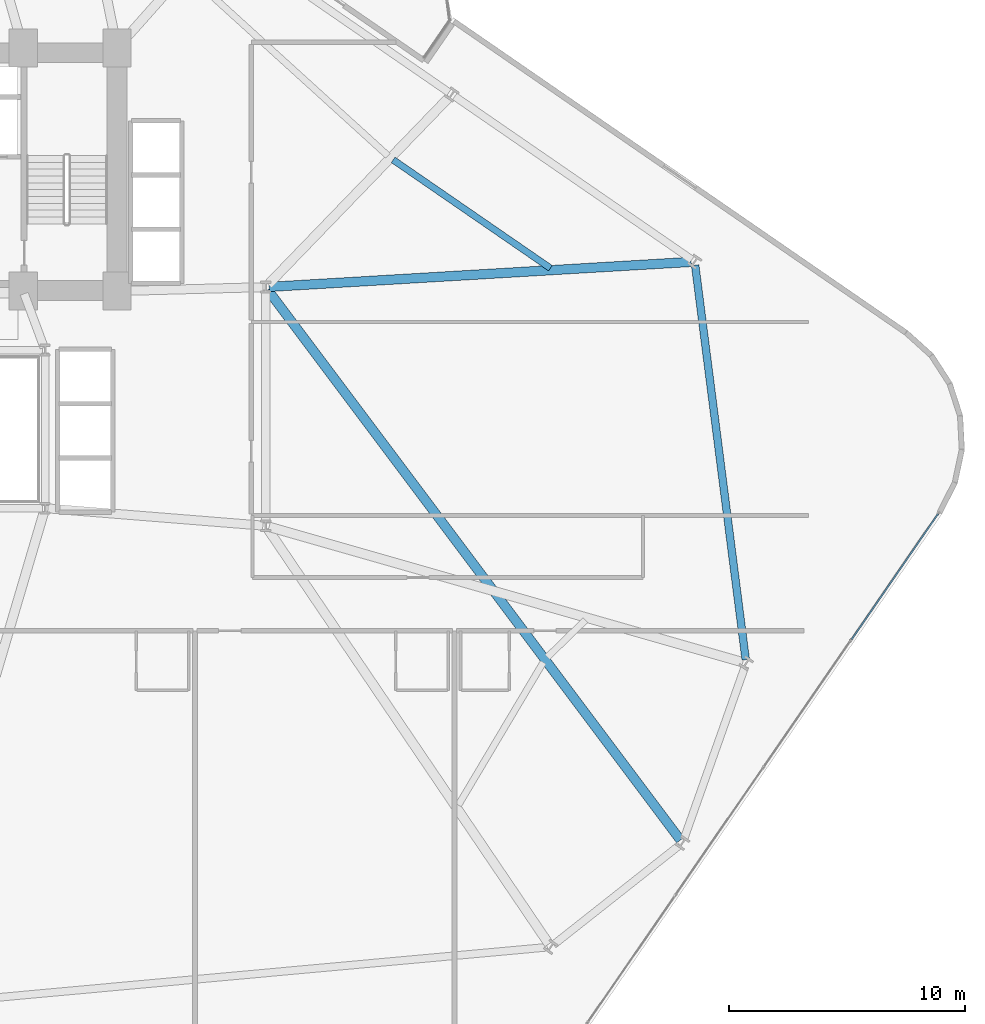
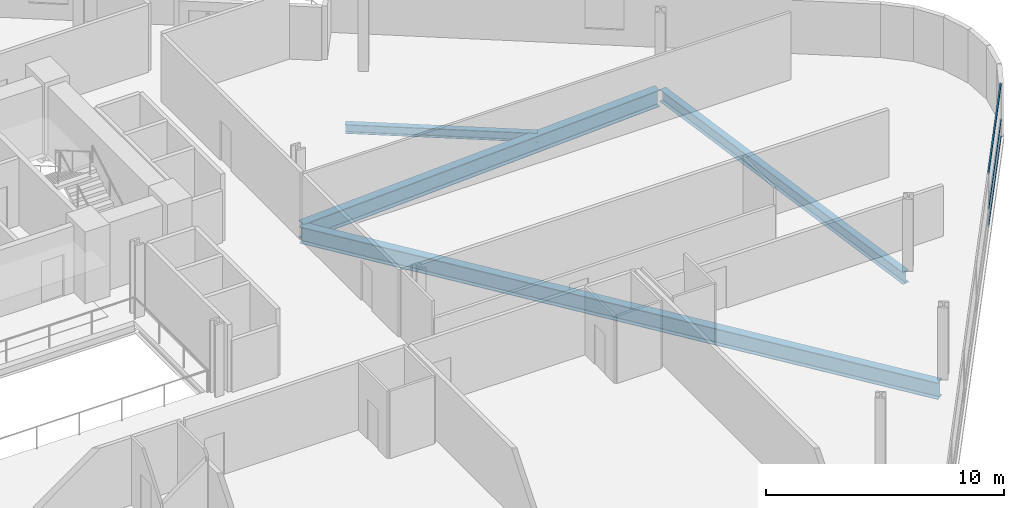
# One storey, part 10 of 24: 4 beams, 3 members, 1 element without a shape of its own.
"""IFC4 building model written with IfcOpenShell, lengths in metres."""

from ifc_helpers import new_model, si_unit, direction, frame, origin, origin_2d, place, context, subcontext, project, spatial, hollow_rectangle, i_section, extrude, material, layer, layer_set, material_profile, profile_set, type_object, element, aggregate, save


model = new_model("IFC4")

# Units and contexts
model_context = context("Model", 3, precision=1e-05, world=origin(), true_north=direction((0.0, 1.0)))
body_context = subcontext(model_context, "Body", "Model", "MODEL_VIEW")
ifc_project = project(units=[si_unit("LENGTHUNIT", "METRE"), si_unit("AREAUNIT", "SQUARE_METRE"), si_unit("VOLUMEUNIT", "CUBIC_METRE"), si_unit("PLANEANGLEUNIT", "RADIAN"), si_unit("MASSUNIT", "GRAM", prefix="KILO")], contexts=[model_context])

# Site, building, storey
site_placement = place(None, origin())
site = spatial("IfcSite", under=ifc_project, at=site_placement, CompositionType="ELEMENT")
building_placement = place(site_placement, origin())
building = spatial("IfcBuilding", under=site, at=building_placement, Name="Varnelok Gate Tower", CompositionType="ELEMENT")
storey_placement = place(building_placement, frame((0.0, 0.0, 41.800048828125)))
storey = spatial("IfcBuildingStorey", under=building, at=storey_placement, Name="L09", CompositionType="ELEMENT", Elevation=41.800048828125)

# Beams
ifc_material_1 = material(Name="Structural Steel ASTM A992 Grade 50", Category="steel")
ifc_material_profile_1 = material_profile(ifc_material_1, i_section(OverallWidth=0.280029296875, OverallDepth=0.462890625, WebThickness=0.0107421875, FlangeThickness=0.017333984375, FilletRadius=0.014892578125, at=origin_2d()), Name="W18X76")
ifc_profile_set_1 = profile_set([ifc_material_profile_1], Name="Structural Steel ASTM A992 Grade 50")
beam_type_1 = type_object("IfcBeamType", Name="BM-JST-W18X76", PredefinedType="JOIST", material=ifc_profile_set_1)
beam_1_placement = place(storey_placement, frame((66.069091796875, 29.72119140625, -0.4814453125), z_axis=(-0.823532961972, 0.567268420191, 0.0), x_axis=(-0.567268420191, -0.823532961972, 0.0)))
element("IfcBeam", 1, at=beam_1_placement, inside=storey, type_object=beam_type_1, Name="L09 Sector Floor Joist 7", PredefinedType="JOIST", context=body_context, shape_type="SweptSolid", body=[
    extrude(i_section(OverallWidth=0.280029296875, OverallDepth=0.462890625, WebThickness=0.0107421875, FlangeThickness=0.017333984375, FilletRadius=0.014892578125, at=origin_2d()), origin(), (0.0, 0.0, 1.0), 8.094970703125),
])
ifc_material_profile_2 = material_profile(ifc_material_1, i_section(OverallWidth=0.39892578125, OverallDepth=0.85498046875, WebThickness=0.018310546875, FlangeThickness=0.029296875, FilletRadius=0.02392578125, at=origin_2d()), Name="W33X201")
ifc_profile_set_2 = profile_set([ifc_material_profile_2], Name="Structural Steel ASTM A992 Grade 50")
beam_type_2 = type_object("IfcBeamType", Name="BM-PRI-W33X201", PredefinedType="BEAM", material=ifc_profile_set_2)
beam_2_placement = place(storey_placement, frame((54.090087890625, 28.800048828125, -0.677490234375), z_axis=(0.600038863323, -0.799970851033, 0.0), x_axis=(0.799970851033, 0.600038863323, 0.0)))
element("IfcBeam", 2, at=beam_2_placement, inside=storey, type_object=beam_type_2, Name="L09 Radial Floor Girder 7", PredefinedType="BEAM", context=body_context, shape_type="SweptSolid", body=[
    extrude(i_section(OverallWidth=0.39892578125, OverallDepth=0.85498046875, WebThickness=0.018310546875, FlangeThickness=0.029296875, FilletRadius=0.02392578125, at=origin_2d()), origin(), (0.0, 0.0, 1.0), 29.148193359375),
])
beam_3_placement = place(storey_placement, frame((54.149658203125, 28.928955078125, -0.677490234375), z_axis=(0.998250753284, 0.059122191839, 0.0), x_axis=(-0.059122191839, 0.998250753284, 0.0)))
element("IfcBeam", 3, at=beam_3_placement, inside=storey, type_object=beam_type_2, Name="L09 Radial Floor Girder 9", PredefinedType="BEAM", context=body_context, shape_type="SweptSolid", body=[
    extrude(i_section(OverallWidth=0.39892578125, OverallDepth=0.85498046875, WebThickness=0.018310546875, FlangeThickness=0.029296875, FilletRadius=0.02392578125, at=origin_2d()), origin(), (0.0, 0.0, 1.0), 17.91748046875),
])
ifc_material_profile_3 = material_profile(ifc_material_1, i_section(OverallWidth=0.323974609375, OverallDepth=0.611083984375, WebThickness=0.0126953125, FlangeThickness=0.01904296875, FilletRadius=0.01806640625, at=origin_2d()), Name="W24X104")
ifc_profile_set_3 = profile_set([ifc_material_profile_3], Name="Structural Steel ASTM A992 Grade 50")
beam_type_3 = type_object("IfcBeamType", Name="BM-SPN-W24X104", PredefinedType="SPANDREL", material=ifc_profile_set_3)
beam_4_placement = place(storey_placement, frame((74.347900390625, 13.125, -0.5556640625), z_axis=(-0.127122673264, 0.991887002608, 0.0), x_axis=(-0.991887002608, -0.127122673264, 0.0)))
element("IfcBeam", 4, at=beam_4_placement, inside=storey, type_object=beam_type_3, Name="L09 Perimeter Spandrel Beam 8", PredefinedType="SPANDREL", context=body_context, shape_type="SweptSolid", body=[
    extrude(i_section(OverallWidth=0.323974609375, OverallDepth=0.611083984375, WebThickness=0.0126953125, FlangeThickness=0.01904296875, FilletRadius=0.01806640625, at=origin_2d()), origin(), (0.0, 0.0, 1.0), 16.860107421875),
])

# Curtain wall, members
ifc_material_2 = material(Name="Anodized Aluminum Alloy 6063-T6", Category="aluminium")
ifc_layer = layer(ifc_material_2, 0.179931640625)
ifc_layer_set = layer_set([ifc_layer], Name="Anodized Aluminum Alloy 6063-T6")
curtain_wall_type = type_object("IfcCurtainWallType", Name="CW3-HOTEL-VISION", PredefinedType="USERDEFINED", material=ifc_layer_set)
curtain_wall_placement = place(storey_placement, origin())
curtain_wall = element("IfcCurtainWall", 5, at=curtain_wall_placement, inside=storey, type_object=curtain_wall_type, Name="L09 East End Vision Curtain Wall", ObjectType="UNITISED CURTAIN WALL", PredefinedType="USERDEFINED")
ifc_material_profile_4 = material_profile(ifc_material_2, hollow_rectangle(XDim=0.06494140625, YDim=0.159912109375, WallThickness=0.00390625, at=origin_2d()), Name="ALU160X65X4")
ifc_profile_set_4 = profile_set([ifc_material_profile_4], Name="Anodized Aluminum Alloy 6063-T6")
member_type = type_object("IfcMemberType", Name="CW-TRAN-160", PredefinedType="USERDEFINED", material=ifc_profile_set_4)
member_1_placement = place(storey_placement, frame((82.505615234375, 19.3125, 0.032470703125), z_axis=(-0.567298980035, -0.823511910813, 0.0), x_axis=(0.823511910813, -0.567298980035, 0.0)))
member_1 = element("IfcMember", 6, at=member_1_placement, type_object=member_type, Name="CW3 transom 1.1", ObjectType="TRANSOM", PredefinedType="USERDEFINED", context=body_context, shape_type="SweptSolid", body=[
    extrude(hollow_rectangle(XDim=0.06494140625, YDim=0.159912109375, WallThickness=0.00390625, at=origin_2d()), origin(), (0.0, 0.0, 1.0), 6.468994140625),
])
member_2_placement = place(storey_placement, frame((82.505615234375, 19.3125, 0.89990234375), z_axis=(-0.567298980035, -0.823511910813, 0.0), x_axis=(0.823511910813, -0.567298980035, 0.0)))
member_2 = element("IfcMember", 7, at=member_2_placement, type_object=member_type, Name="CW3 transom 1.2", ObjectType="TRANSOM", PredefinedType="USERDEFINED", context=body_context, shape_type="SweptSolid", body=[
    extrude(hollow_rectangle(XDim=0.06494140625, YDim=0.159912109375, WallThickness=0.00390625, at=origin_2d()), origin(), (0.0, 0.0, 1.0), 6.468994140625),
])
member_3_placement = place(storey_placement, frame((82.505615234375, 19.3125, 2.697509765625), z_axis=(-0.567298980035, -0.823511910813, 0.0), x_axis=(0.823511910813, -0.567298980035, 0.0)))
member_3 = element("IfcMember", 8, at=member_3_placement, type_object=member_type, Name="CW3 transom 1.3", ObjectType="TRANSOM", PredefinedType="USERDEFINED", context=body_context, shape_type="SweptSolid", body=[
    extrude(hollow_rectangle(XDim=0.06494140625, YDim=0.159912109375, WallThickness=0.00390625, at=origin_2d()), origin(), (0.0, 0.0, 1.0), 6.468994140625),
])
aggregate(curtain_wall, [member_1, member_2, member_3])

save(model, "model.ifc")
